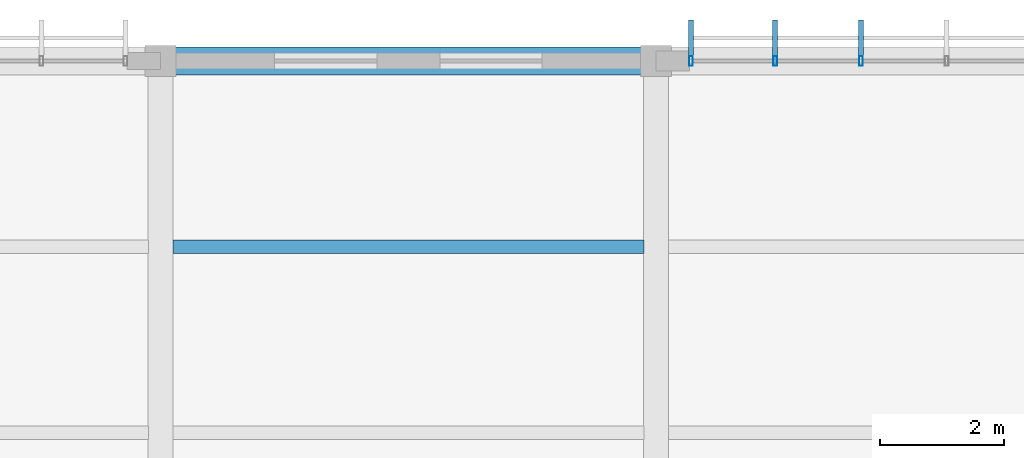
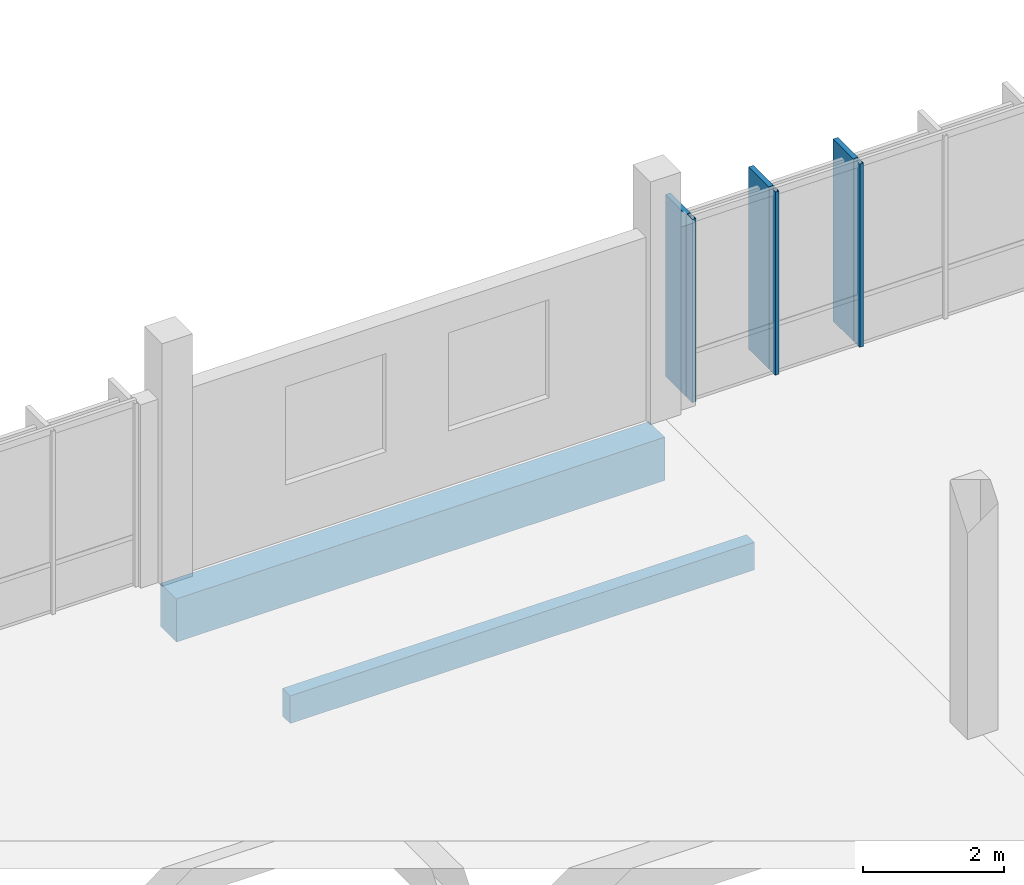
# One storey, part 127 of 182: 6 members, 2 beams, 1 element without a shape of its own.
"""IFC4 building model written with IfcOpenShell, lengths in metres."""

from ifc_helpers import new_model, si_unit, direction, frame, origin, origin_2d, place, context, subcontext, project, spatial, rectangle, hollow_rectangle, extrude, material, material_profile, profile_set, type_object, element, aggregate, save


model = new_model("IFC4")

# Units and contexts
model_context = context("Model", 3, precision=1e-05, world=origin(), true_north=direction((0.0, 1.0)))
body_context = subcontext(model_context, "Body", "Model", "MODEL_VIEW")
ifc_project = project(units=[si_unit("LENGTHUNIT", "METRE"), si_unit("AREAUNIT", "SQUARE_METRE"), si_unit("VOLUMEUNIT", "CUBIC_METRE"), si_unit("PLANEANGLEUNIT", "RADIAN"), si_unit("MASSUNIT", "GRAM", prefix="KILO")], contexts=[model_context])

# Site, building, storey
site_placement = place(None, origin())
site = spatial("IfcSite", under=ifc_project, at=site_placement, CompositionType="ELEMENT")
building_placement = place(site_placement, origin())
building = spatial("IfcBuilding", under=site, at=building_placement, Name="Chiffa Square Polytechnic", CompositionType="ELEMENT")
storey_placement = place(building_placement, frame((0.0, 0.0, 9.60009765625)))
storey = spatial("IfcBuildingStorey", under=building, at=storey_placement, Name="L02", CompositionType="ELEMENT", Elevation=9.60009765625)

# Beam
ifc_material_1 = material(Name="Concrete C35/45", Category="concrete")
ifc_material_profile_1 = material_profile(ifc_material_1, rectangle(XDim=0.449951171875, YDim=0.75, at=origin_2d()), Name="RC 450x750")
ifc_profile_set_1 = profile_set([ifc_material_profile_1], Name="Concrete C35/45")
beam_type_1 = type_object("IfcBeamType", Name="BM-RC-450X750", PredefinedType="BEAM", material=ifc_profile_set_1)
beam_1_placement = place(storey_placement, frame((16.0, 130.800048828125, -0.695068359375), z_axis=(1.0, 0.0, 0.0), x_axis=(0.0, 1.0, 0.0)))
element("IfcBeam", 1, at=beam_1_placement, inside=storey, type_object=beam_type_1, Name="Primary floor girder BM-V5-L02-X-0160-1308", PredefinedType="BEAM", context=body_context, shape_type="SweptSolid", body=[
    extrude(rectangle(XDim=0.449951171875, YDim=0.75, at=origin_2d()), origin(), (0.0, 0.0, 1.0), 8.0),
])

# Curtain wall, members
ifc_material_2 = material(Name="Aluminium EN AW-6060 T66 and glulam shading", Category="wood")
curtain_wall_type = type_object("IfcCurtainWallType", Name="CW-VERT-480X380", PredefinedType="USERDEFINED", material=ifc_material_2)
curtain_wall_placement = place(storey_placement, origin())
curtain_wall = element("IfcCurtainWall", 2, at=curtain_wall_placement, inside=storey, type_object=curtain_wall_type, Name="Curtain wall CW-V5-L02-222", ObjectType="CURTAIN WALL", PredefinedType="USERDEFINED")
ifc_material_3 = material(Name="Aluminium EN AW-6060 T66", Category="aluminium")
ifc_material_profile_2 = material_profile(ifc_material_3, hollow_rectangle(XDim=0.06005859375, YDim=0.159912109375, WallThickness=0.00390625, at=origin_2d()), Name="ALU 60x160x4")
ifc_profile_set_2 = profile_set([ifc_material_profile_2], Name="Aluminium EN AW-6060 T66")
member_type_1 = type_object("IfcMemberType", Name="CWM-ALU-65X150", PredefinedType="MULLION", material=ifc_profile_set_2)
member_1_placement = place(storey_placement, frame((27.30810546875, 130.800048828125, 0.0), z_axis=(0.0, 0.0, 1.0), x_axis=(1.0, 0.0, 0.0)))
member_1 = element("IfcMember", 3, at=member_1_placement, type_object=member_type_1, Name="Curtain wall mullion CW-V5-L02-222-M03", PredefinedType="MULLION", context=body_context, shape_type="SweptSolid", body=[
    extrude(hollow_rectangle(XDim=0.06005859375, YDim=0.159912109375, WallThickness=0.00390625, at=origin_2d()), origin(), (0.0, 0.0, 1.0), 3.1748046875),
])
member_2_placement = place(storey_placement, frame((25.924072265625, 130.800048828125, 0.0), z_axis=(0.0, 0.0, 1.0), x_axis=(1.0, 0.0, 0.0)))
member_2 = element("IfcMember", 4, at=member_2_placement, type_object=member_type_1, Name="Curtain wall mullion CW-V5-L02-222-M04", PredefinedType="MULLION", context=body_context, shape_type="SweptSolid", body=[
    extrude(hollow_rectangle(XDim=0.06005859375, YDim=0.159912109375, WallThickness=0.00390625, at=origin_2d()), origin(), (0.0, 0.0, 1.0), 3.1748046875),
])
member_3_placement = place(storey_placement, frame((24.56494140625, 130.800048828125, 0.0), z_axis=(0.0, 0.0, 1.0), x_axis=(1.0, 0.0, 0.0)))
member_3 = element("IfcMember", 5, at=member_3_placement, type_object=member_type_1, Name="Curtain wall mullion CW-V5-L02-222-M05", PredefinedType="MULLION", context=body_context, shape_type="SweptSolid", body=[
    extrude(hollow_rectangle(XDim=0.06005859375, YDim=0.159912109375, WallThickness=0.00390625, at=origin_2d()), origin(), (0.0, 0.0, 1.0), 3.1748046875),
])
ifc_material_4 = material(Name="Glulam GL28h", Category="wood")
ifc_material_profile_3 = material_profile(ifc_material_4, rectangle(XDim=0.080078125, YDim=0.580078125, at=origin_2d()), Name="GL28h 80x580")
ifc_profile_set_3 = profile_set([ifc_material_profile_3], Name="Glulam GL28h")
member_type_2 = type_object("IfcMemberType", Name="CWM-GL-80X580", PredefinedType="MULLION", material=ifc_profile_set_3)
member_4_placement = place(storey_placement, frame((27.30810546875, 131.172119140625, 0.010009765625), z_axis=(0.0, 0.0, 1.0), x_axis=(-1.0, 0.0, 0.0)))
member_4 = element("IfcMember", 6, at=member_4_placement, type_object=member_type_2, Name="Exterior glulam solar fin CW-V5-L02-222-FN03", PredefinedType="MULLION", context=body_context, shape_type="SweptSolid", body=[
    extrude(rectangle(XDim=0.080078125, YDim=0.580078125, at=origin_2d()), origin(), (0.0, 0.0, 1.0), 3.15478515625),
])
member_5_placement = place(storey_placement, frame((25.924072265625, 131.172119140625, 0.010009765625), z_axis=(0.0, 0.0, 1.0), x_axis=(-1.0, 0.0, 0.0)))
member_5 = element("IfcMember", 7, at=member_5_placement, type_object=member_type_2, Name="Exterior glulam solar fin CW-V5-L02-222-FN04", PredefinedType="MULLION", context=body_context, shape_type="SweptSolid", body=[
    extrude(rectangle(XDim=0.080078125, YDim=0.580078125, at=origin_2d()), origin(), (0.0, 0.0, 1.0), 3.15478515625),
])
member_6_placement = place(storey_placement, frame((24.56494140625, 131.172119140625, 0.010009765625), z_axis=(0.0, 0.0, 1.0), x_axis=(-1.0, 0.0, 0.0)))
member_6 = element("IfcMember", 8, at=member_6_placement, type_object=member_type_2, Name="Exterior glulam solar fin CW-V5-L02-222-FN05", PredefinedType="MULLION", context=body_context, shape_type="SweptSolid", body=[
    extrude(rectangle(XDim=0.080078125, YDim=0.580078125, at=origin_2d()), origin(), (0.0, 0.0, 1.0), 3.15478515625),
])
aggregate(curtain_wall, [member_1, member_4, member_2, member_5, member_3, member_6])

# Beam
ifc_material_profile_4 = material_profile(ifc_material_4, rectangle(XDim=0.219970703125, YDim=0.47998046875, at=origin_2d()), Name="GL28h 220x480")
ifc_profile_set_4 = profile_set([ifc_material_profile_4], Name="Glulam GL28h")
beam_type_2 = type_object("IfcBeamType", Name="JST-GL-220X480", PredefinedType="JOIST", material=ifc_profile_set_4)
beam_2_placement = place(storey_placement, frame((16.197998046875, 127.800048828125, -0.56005859375), z_axis=(1.0, 0.0, 0.0), x_axis=(0.0, 1.0, 0.0)))
element("IfcBeam", 9, at=beam_2_placement, inside=storey, type_object=beam_type_2, Name="Secondary floor joist JST-V5-L02-0160-1278", PredefinedType="JOIST", context=body_context, shape_type="SweptSolid", body=[
    extrude(rectangle(XDim=0.219970703125, YDim=0.47998046875, at=origin_2d()), origin(), (0.0, 0.0, 1.0), 7.60400390625),
])

save(model, "model.ifc")
